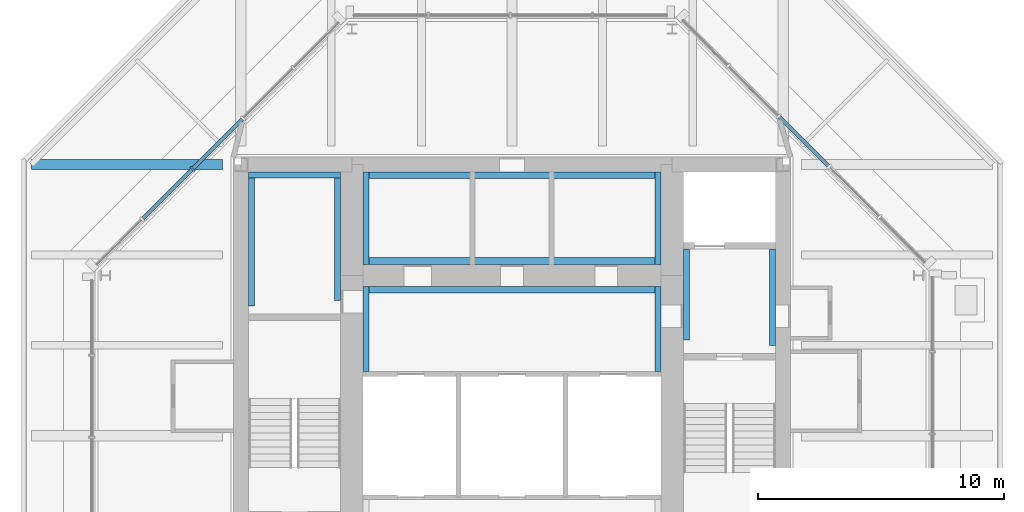
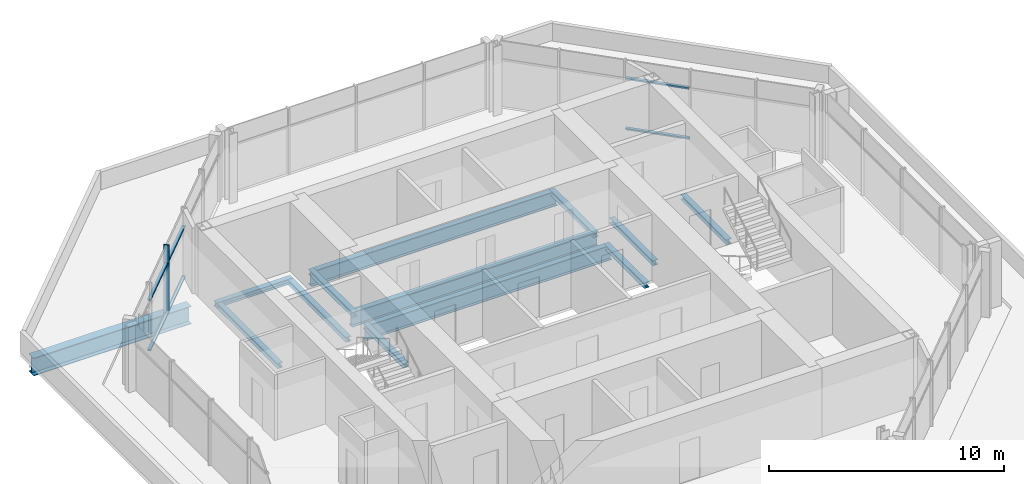
# One storey, part 3 of 10: 13 beams, 7 members, 2 elements without a shape of their own.
"""IFC4 building model written with IfcOpenShell, lengths in metres."""

from ifc_helpers import new_model, si_unit, direction, frame, origin, origin_2d, place, context, subcontext, project, spatial, rectangle, i_section, extrude, material, material_profile, profile_set, type_object, element, aggregate, save


model = new_model("IFC4")

# Units and contexts
model_context = context("Model", 3, precision=1e-05, world=origin(), true_north=direction((0.0, 1.0)))
body_context = subcontext(model_context, "Body", "Model", "MODEL_VIEW")
ifc_project = project(units=[si_unit("LENGTHUNIT", "METRE"), si_unit("AREAUNIT", "SQUARE_METRE"), si_unit("VOLUMEUNIT", "CUBIC_METRE"), si_unit("PLANEANGLEUNIT", "RADIAN"), si_unit("MASSUNIT", "GRAM", prefix="KILO")], contexts=[model_context])

# Site, building, storey
site_placement = place(None, origin())
site = spatial("IfcSite", under=ifc_project, at=site_placement, CompositionType="ELEMENT")
building_placement = place(site_placement, origin())
building = spatial("IfcBuilding", under=site, at=building_placement, Name="Trevanion Tower", CompositionType="ELEMENT")
storey_placement = place(building_placement, frame((0.0, 0.0, 263.199951171875)))
storey = spatial("IfcBuildingStorey", under=building, at=storey_placement, Name="L64", CompositionType="ELEMENT", Elevation=263.199951171875)

# Curtain wall, member
ifc_material_1 = material(Name="Aluminium and glass", Category="aluminium")
curtain_wall_type = type_object("IfcCurtainWallType", Name="CW4 curtain wall", PredefinedType="USERDEFINED", material=ifc_material_1)
curtain_wall_1_placement = place(storey_placement, origin())
curtain_wall_1 = element("IfcCurtainWall", 1, at=curtain_wall_1_placement, inside=storey, type_object=curtain_wall_type, Name="CW4 L64 3", ObjectType="UNITISED CURTAIN WALL", PredefinedType="USERDEFINED")
ifc_material_2 = material(Name="Aluminium extrusion, anodised bronze", Category="aluminium")
ifc_material_profile_1 = material_profile(ifc_material_2, rectangle(XDim=0.074951171875, YDim=0.25, at=origin_2d()), Name="CW4 mullion")
ifc_profile_set_1 = profile_set([ifc_material_profile_1], Name="Aluminium extrusion, anodised bronze")
member_type_1 = type_object("IfcMemberType", Name="CW4 mullion", PredefinedType="MULLION", material=ifc_profile_set_1)
member_1_placement = place(storey_placement, frame((-12.9580078125, 10.81982421875, -0.18994140625), z_axis=(0.0, 0.0, 1.0), x_axis=(-0.707106781187, -0.707106781187, 0.0)))
member_1 = element("IfcMember", 2, at=member_1_placement, type_object=member_type_1, Name="CW4 mullion 4", PredefinedType="MULLION", context=body_context, shape_type="SweptSolid", body=[
    extrude(rectangle(XDim=0.074951171875, YDim=0.25, at=origin_2d()), origin(), (0.0, 0.0, 1.0), 3.60009765625),
])

# Curtain wall, members
curtain_wall_2_placement = place(storey_placement, origin())
curtain_wall_2 = element("IfcCurtainWall", 3, at=curtain_wall_2_placement, inside=storey, type_object=curtain_wall_type, Name="CW4 L64 1", ObjectType="UNITISED CURTAIN WALL", PredefinedType="USERDEFINED")
ifc_material_3 = material(Name="Aluminium extrusion, anodised bronze", Category="aluminium")
ifc_material_profile_2 = material_profile(ifc_material_3, rectangle(XDim=0.14990234375, YDim=0.074951171875, at=origin_2d()), Name="CW4 transom")
ifc_profile_set_2 = profile_set([ifc_material_profile_2], Name="Aluminium extrusion, anodised bronze")
member_type_2 = type_object("IfcMemberType", Name="CW4 transom", PredefinedType="USERDEFINED", material=ifc_profile_set_2)
member_2_placement = place(storey_placement, frame((12.839599609375, 10.9384765625, -0.15234375), z_axis=(-0.707150088905, 0.707063470815, 0.0), x_axis=(-0.707063470815, -0.707150088905, 0.0)))
member_2 = element("IfcMember", 4, at=member_2_placement, type_object=member_type_2, Name="CW4 transom 3.1", ObjectType="TRANSOM", PredefinedType="USERDEFINED", context=body_context, shape_type="SweptSolid", body=[
    extrude(rectangle(XDim=0.14990234375, YDim=0.074951171875, at=origin_2d()), origin(), (0.0, 0.0, 1.0), 2.818603515625),
])
member_3_placement = place(storey_placement, frame((12.839599609375, 10.9384765625, 2.4599609375), z_axis=(-0.707150088905, 0.707063470815, 0.0), x_axis=(-0.707063470815, -0.707150088905, 0.0)))
member_3 = element("IfcMember", 5, at=member_3_placement, type_object=member_type_2, Name="CW4 transom 3.2", ObjectType="TRANSOM", PredefinedType="USERDEFINED", context=body_context, shape_type="SweptSolid", body=[
    extrude(rectangle(XDim=0.14990234375, YDim=0.074951171875, at=origin_2d()), origin(), (0.0, 0.0, 1.0), 2.818603515625),
])
aggregate(curtain_wall_2, [member_2, member_3])

# Member
member_4_placement = place(storey_placement, frame((-10.9384765625, 12.839599609375, -0.15234375), z_axis=(-0.707063470815, -0.707150088905, 0.0), x_axis=(0.707150088905, -0.707063470815, 0.0)))
member_4 = element("IfcMember", 6, at=member_4_placement, type_object=member_type_2, Name="CW4 transom 3.1", ObjectType="TRANSOM", PredefinedType="USERDEFINED", context=body_context, shape_type="SweptSolid", body=[
    extrude(rectangle(XDim=0.14990234375, YDim=0.074951171875, at=origin_2d()), origin(), (0.0, 0.0, 1.0), 2.818603515625),
])

member_5_placement = place(storey_placement, frame((-10.9384765625, 12.839599609375, 2.4599609375), z_axis=(-0.707063470815, -0.707150088905, 0.0), x_axis=(0.707150088905, -0.707063470815, 0.0)))
member_5 = element("IfcMember", 7, at=member_5_placement, type_object=member_type_2, Name="CW4 transom 3.2", ObjectType="TRANSOM", PredefinedType="USERDEFINED", context=body_context, shape_type="SweptSolid", body=[
    extrude(rectangle(XDim=0.14990234375, YDim=0.074951171875, at=origin_2d()), origin(), (0.0, 0.0, 1.0), 2.818603515625),
])

member_6_placement = place(storey_placement, frame((-12.984375, 10.79345703125, -0.15234375), z_axis=(-0.707063470815, -0.707150088905, 0.0), x_axis=(0.707150088905, -0.707063470815, 0.0)))
member_6 = element("IfcMember", 8, at=member_6_placement, type_object=member_type_2, Name="CW4 transom 4.1", ObjectType="TRANSOM", PredefinedType="USERDEFINED", context=body_context, shape_type="SweptSolid", body=[
    extrude(rectangle(XDim=0.14990234375, YDim=0.074951171875, at=origin_2d()), origin(), (0.0, 0.0, 1.0), 2.818603515625),
])

member_7_placement = place(storey_placement, frame((-12.984375, 10.79345703125, 2.4599609375), z_axis=(-0.707063470815, -0.707150088905, 0.0), x_axis=(0.707150088905, -0.707063470815, 0.0)))
member_7 = element("IfcMember", 9, at=member_7_placement, type_object=member_type_2, Name="CW4 transom 4.2", ObjectType="TRANSOM", PredefinedType="USERDEFINED", context=body_context, shape_type="SweptSolid", body=[
    extrude(rectangle(XDim=0.14990234375, YDim=0.074951171875, at=origin_2d()), origin(), (0.0, 0.0, 1.0), 2.818603515625),
])

aggregate(curtain_wall_1, [member_1, member_4, member_5, member_6, member_7])

# Beams
ifc_material_4 = material(Name="Steel ASTM A992 Grade 50", Category="steel")
ifc_material_profile_3 = material_profile(ifc_material_4, i_section(OverallWidth=0.419189453125, OverallDepth=0.927001953125, WebThickness=0.019287109375, FlangeThickness=0.031982421875, at=origin_2d()), Name="W36X231")
ifc_profile_set_3 = profile_set([ifc_material_profile_3], Name="Steel ASTM A992 Grade 50")
beam_type_1 = type_object("IfcBeamType", Name="G7 W36X231", PredefinedType="BEAM", material=ifc_profile_set_3)
beam_1_placement = place(storey_placement, frame((-11.75, 11.0, -0.653564453125), z_axis=(-1.0, 0.0, 0.0), x_axis=(0.0, -1.0, 0.0)))
element("IfcBeam", 10, at=beam_1_placement, inside=storey, type_object=beam_type_1, Name="G7 L64", PredefinedType="BEAM", context=body_context, shape_type="SweptSolid", body=[
    extrude(i_section(OverallWidth=0.419189453125, OverallDepth=0.927001953125, WebThickness=0.019287109375, FlangeThickness=0.031982421875, at=origin_2d()), origin(), (0.0, 0.0, 1.0), 7.75),
])
ifc_material_5 = material(Name="Steel ASTM A992 Grade 50", Category="steel")
ifc_material_profile_4 = material_profile(ifc_material_5, i_section(OverallWidth=0.256591796875, OverallDepth=0.26416015625, WebThickness=0.011962890625, FlangeThickness=0.01953125, at=origin_2d()), Name="W10X68")
ifc_profile_set_4 = profile_set([ifc_material_profile_4], Name="Steel ASTM A992 Grade 50")
beam_type_2 = type_object("IfcBeamType", Name="LB1 W10X68", PredefinedType="BEAM", material=ifc_profile_set_4)
for number, where, z_axis, x_axis, name in (
    (11, (-5.921630859375, 2.60009765625, -0.33203125), (0.0, 1.0, 0.0), (-1.0, 0.0, 0.0), "LB1 L64"),
    (12, (5.921630859375, 2.60009765625, -0.33203125), (0.0, 1.0, 0.0), (-1.0, 0.0, 0.0), "LB1 L64"),
):
    element("IfcBeam", number, at=place(storey_placement, frame(where, z_axis=z_axis, x_axis=x_axis)), inside=storey, type_object=beam_type_2, Name=name, PredefinedType="BEAM", context=body_context, shape_type="SweptSolid", body=[
        extrude(i_section(OverallWidth=0.256591796875, OverallDepth=0.26416015625, WebThickness=0.011962890625, FlangeThickness=0.01953125, at=origin_2d()), origin(), (0.0, 0.0, 1.0), 3.449951171875),
    ])
beam_2_placement = place(storey_placement, frame((7.078369140625, 3.875, -0.33203125), z_axis=(0.0, 1.0, 0.0), x_axis=(-1.0, 0.0, 0.0)))
element("IfcBeam", 13, at=beam_2_placement, inside=storey, type_object=beam_type_2, Name="LB1 L64", PredefinedType="BEAM", context=body_context, shape_type="SweptSolid", body=[
    extrude(i_section(OverallWidth=0.256591796875, OverallDepth=0.26416015625, WebThickness=0.011962890625, FlangeThickness=0.01953125, at=origin_2d()), origin(), (0.0, 0.0, 1.0), 3.699951171875),
])
beam_3_placement = place(storey_placement, frame((10.57177734375, 3.65478515625, -0.33203125), z_axis=(0.0, 1.0, 0.0), x_axis=(-1.0, 0.0, 0.0)))
element("IfcBeam", 14, at=beam_3_placement, inside=storey, type_object=beam_type_2, Name="LB1 L64", PredefinedType="BEAM", context=body_context, shape_type="SweptSolid", body=[
    extrude(i_section(OverallWidth=0.256591796875, OverallDepth=0.26416015625, WebThickness=0.011962890625, FlangeThickness=0.01953125, at=origin_2d()), origin(), (0.0, 0.0, 1.0), 3.920166015625),
])
beam_4_placement = place(storey_placement, frame((-10.57177734375, 5.2548828125, -0.33203125), z_axis=(0.0, 1.0, 0.0), x_axis=(-1.0, 0.0, 0.0)))
element("IfcBeam", 15, at=beam_4_placement, inside=storey, type_object=beam_type_2, Name="LB1 L64", PredefinedType="BEAM", context=body_context, shape_type="SweptSolid", body=[
    extrude(i_section(OverallWidth=0.256591796875, OverallDepth=0.26416015625, WebThickness=0.011962890625, FlangeThickness=0.01953125, at=origin_2d()), origin(), (0.0, 0.0, 1.0), 5.445068359375),
])
beam_5_placement = place(storey_placement, frame((-7.078369140625, 5.47509765625, -0.33203125), z_axis=(0.0, 1.0, 0.0), x_axis=(-1.0, 0.0, 0.0)))
element("IfcBeam", 16, at=beam_5_placement, inside=storey, type_object=beam_type_2, Name="LB1 L64", PredefinedType="BEAM", context=body_context, shape_type="SweptSolid", body=[
    extrude(i_section(OverallWidth=0.256591796875, OverallDepth=0.26416015625, WebThickness=0.011962890625, FlangeThickness=0.01953125, at=origin_2d()), origin(), (0.0, 0.0, 1.0), 5.224853515625),
])
for number, where, z_axis, x_axis, name in (
    (17, (-10.699951171875, 10.57177734375, -0.33203125), (1.0, 0.0, 0.0), (0.0, 1.0, 0.0), "LB1 L64"),
    (18, (-5.921630859375, 6.949951171875, -0.33203125), (0.0, 1.0, 0.0), (-1.0, 0.0, 0.0), "LB1 L64"),
    (19, (5.921630859375, 6.949951171875, -0.33203125), (0.0, 1.0, 0.0), (-1.0, 0.0, 0.0), "LB1 L64"),
):
    element("IfcBeam", number, at=place(storey_placement, frame(where, z_axis=z_axis, x_axis=x_axis)), inside=storey, type_object=beam_type_2, Name=name, PredefinedType="BEAM", context=body_context, shape_type="SweptSolid", body=[
        extrude(i_section(OverallWidth=0.256591796875, OverallDepth=0.26416015625, WebThickness=0.011962890625, FlangeThickness=0.01953125, at=origin_2d()), origin(), (0.0, 0.0, 1.0), 3.75),
    ])
ifc_material_6 = material(Name="Steel ASTM A992 Grade 50", Category="steel")
ifc_material_profile_5 = material_profile(ifc_material_6, i_section(OverallWidth=0.2666015625, OverallDepth=0.76953125, WebThickness=0.015625, FlangeThickness=0.025390625, at=origin_2d()), Name="W30X132")
ifc_profile_set_5 = profile_set([ifc_material_profile_5], Name="Steel ASTM A992 Grade 50")
beam_type_3 = type_object("IfcBeamType", Name="LB3 W30X132", PredefinedType="BEAM", material=ifc_profile_set_5)
for number, where, z_axis, x_axis, name in (
    (20, (-6.050048828125, 5.91650390625, -0.584716796875), (1.0, 0.0, 0.0), (0.0, 1.0, 0.0), "LB3 L64"),
    (21, (-6.050048828125, 7.08349609375, -0.584716796875), (1.0, 0.0, 0.0), (0.0, 1.0, 0.0), "LB3 L64"),
    (22, (-6.050048828125, 10.566650390625, -0.584716796875), (1.0, 0.0, 0.0), (0.0, 1.0, 0.0), "LB3 L64"),
):
    element("IfcBeam", number, at=place(storey_placement, frame(where, z_axis=z_axis, x_axis=x_axis)), inside=storey, type_object=beam_type_3, Name=name, PredefinedType="BEAM", context=body_context, shape_type="SweptSolid", body=[
        extrude(i_section(OverallWidth=0.2666015625, OverallDepth=0.76953125, WebThickness=0.015625, FlangeThickness=0.025390625, at=origin_2d()), origin(), (0.0, 0.0, 1.0), 12.10009765625),
    ])

save(model, "model.ifc")
